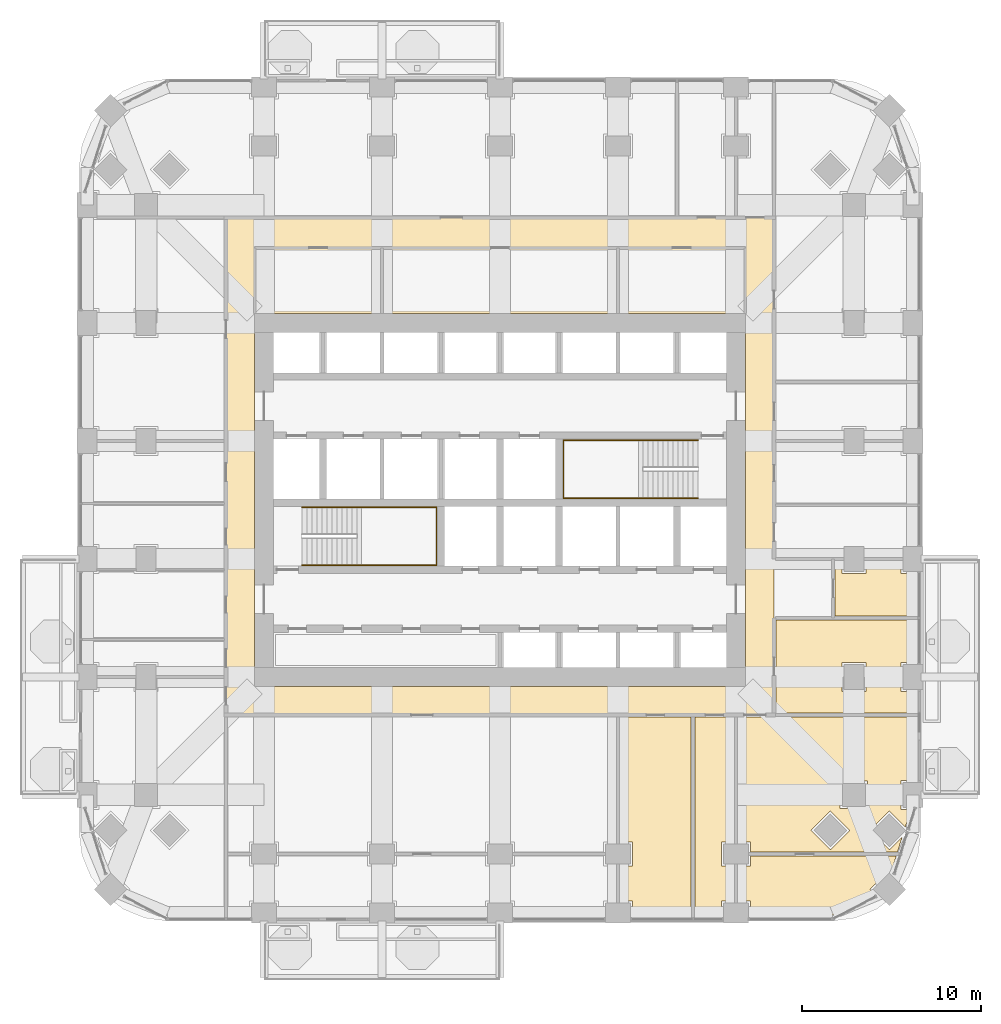
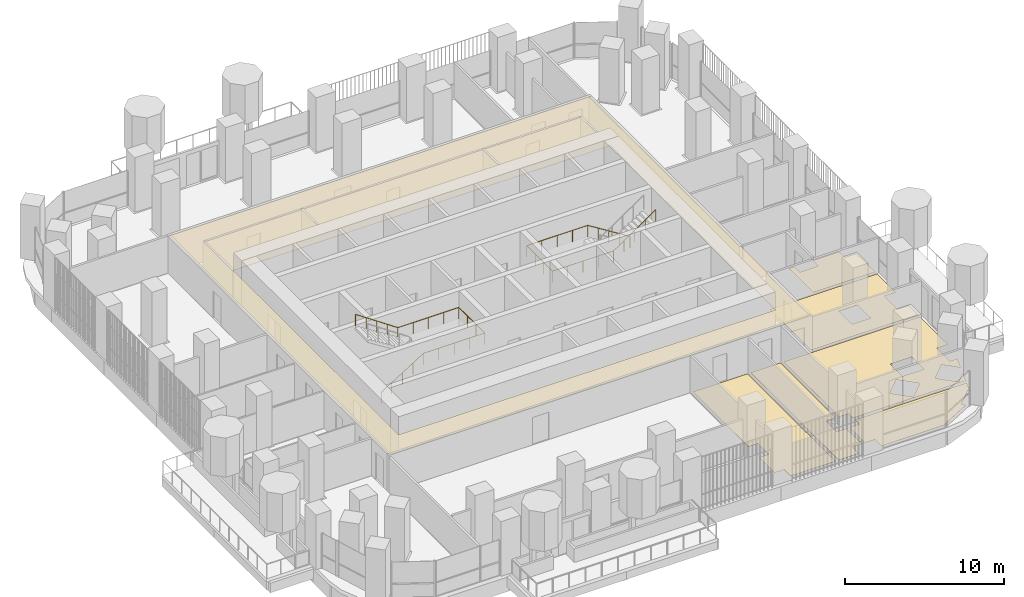
# One storey, part 18 of 21: 7 coverings, 2 railings.
"""IFC4 building model written with IfcOpenShell, lengths in metres."""

from ifc_helpers import new_model, si_unit, direction, frame, origin, place, context, subcontext, project, spatial, polyline, outline, extrude, material, layer, layer_set, type_object, element, save


model = new_model("IFC4")

# Units and contexts
model_context = context("Model", 3, precision=1e-05, world=origin(), true_north=direction((0.0, 1.0)))
body_context = subcontext(model_context, "Body", "Model", "MODEL_VIEW")
ifc_project = project(units=[si_unit("LENGTHUNIT", "METRE"), si_unit("AREAUNIT", "SQUARE_METRE"), si_unit("VOLUMEUNIT", "CUBIC_METRE"), si_unit("PLANEANGLEUNIT", "RADIAN"), si_unit("MASSUNIT", "GRAM", prefix="KILO")], contexts=[model_context])

# Site, building, storey
site_placement = place(None, origin())
site = spatial("IfcSite", under=ifc_project, at=site_placement, CompositionType="ELEMENT")
building_placement = place(site_placement, origin())
building = spatial("IfcBuilding", under=site, at=building_placement, Name="Cobogo Forest Laboratory Tower", CompositionType="ELEMENT")
storey_placement = place(building_placement, frame((0.0, 0.0, 124.199951171875)))
storey = spatial("IfcBuildingStorey", under=building, at=storey_placement, Name="L28", CompositionType="ELEMENT", Elevation=124.199951171875)

# Coverings
ifc_material_1 = material(Name="Mineral fibre ceiling tile", Category="ceiling")
ifc_layer_1 = layer(ifc_material_1, 0.02001953125)
ifc_layer_set_1 = layer_set([ifc_layer_1], Name="CL1 suspended ceiling")
covering_type_1 = type_object("IfcCoveringType", Name="CL1 suspended ceiling", PredefinedType="CEILING", material=ifc_layer_set_1)
covering_1_placement = place(storey_placement, frame((0.0, 0.0, 2.800048828125)))
element("IfcCovering", 1, at=covering_1_placement, inside=storey, type_object=covering_type_1, Name="Corridor ceiling L28", PredefinedType="CEILING", context=body_context, shape_type="SweptSolid", body=[
    extrude(outline(polyline([(11.074951171875, 11.074951171875), (11.074951171875, 38.89990234375), (41.72509765625, 38.89990234375), (41.72509765625, 11.074951171875), (11.074951171875, 11.074951171875)]), holes=[polyline([(40.125, 33.52490234375), (12.675048828125, 33.52490234375), (12.675048828125, 12.675048828125), (40.125, 12.675048828125), (40.125, 33.52490234375)])]), origin(), (0.0, 0.0, 1.0), 0.02001953125),
])
ifc_material_2 = material(Name="Carpet tile on raised access floor", Category="flooring")
ifc_layer_2 = layer(ifc_material_2, 0.008056640625)
ifc_layer_set_2 = layer_set([ifc_layer_2], Name="CT1 carpet tile floor 8")
covering_type_2 = type_object("IfcCoveringType", Name="CT1 carpet tile floor 8", PredefinedType="FLOORING", material=ifc_layer_set_2)
covering_2_placement = place(storey_placement, origin())
element("IfcCovering", 2, at=covering_2_placement, inside=storey, type_object=covering_type_2, Name="Carpet floor L28-06", PredefinedType="FLOORING", context=body_context, shape_type="SweptSolid", body=[
    extrude(outline(polyline([(37.080078125, 10.955078125), (37.080078125, -0.14990234375), (33.820068359375, -0.14990234375), (33.820068359375, 0.669921875), (33.1201171875, 0.669921875), (33.1201171875, 2.6298828125), (33.820068359375, 2.6298828125), (33.820068359375, 3.969970703125), (33.1201171875, 3.969970703125), (33.1201171875, 10.955078125), (37.080078125, 10.955078125)])), origin(), (0.0, 0.0, 1.0), 0.008056640625),
])
covering_3_placement = place(storey_placement, origin())
element("IfcCovering", 3, at=covering_3_placement, inside=storey, type_object=covering_type_2, Name="Carpet floor L28-09", PredefinedType="FLOORING", context=body_context, shape_type="SweptSolid", body=[
    extrude(outline(polyline([(48.560302734375, 3.179931640625), (48.283935546875, 2.304931640625), (48.181884765625, 2.406982421875), (47.093017578125, 1.318115234375), (47.3193359375, 1.091552734375), (44.95068359375, -0.14990234375), (40.419921875, -0.14990234375), (40.419921875, 0.669921875), (39.719970703125, 0.669921875), (39.719970703125, 2.6298828125), (40.419921875, 2.6298828125), (40.419921875, 3.179931640625), (48.560302734375, 3.179931640625)])), origin(), (0.0, 0.0, 1.0), 0.008056640625),
])
covering_4_placement = place(storey_placement, origin())
element("IfcCovering", 4, at=covering_4_placement, inside=storey, type_object=covering_type_2, Name="Carpet floor L28-10", PredefinedType="FLOORING", context=body_context, shape_type="SweptSolid", body=[
    extrude(outline(polyline([(41.844970703125, 16.3798828125), (49.64990234375, 16.3798828125), (49.64990234375, 14.02001953125), (48.830078125, 14.02001953125), (48.830078125, 12.3798828125), (49.64990234375, 12.3798828125), (49.64990234375, 11.195068359375), (41.844970703125, 11.195068359375), (41.844970703125, 16.3798828125)]), holes=[polyline([(45.530029296875, 12.3798828125), (46.8701171875, 12.3798828125), (46.8701171875, 14.02001953125), (45.530029296875, 14.02001953125), (45.530029296875, 12.3798828125)])]), origin(), (0.0, 0.0, 1.0), 0.008056640625),
])
covering_5_placement = place(storey_placement, origin())
element("IfcCovering", 5, at=covering_5_placement, inside=storey, type_object=covering_type_2, Name="Carpet floor L28-11", PredefinedType="FLOORING", context=body_context, shape_type="SweptSolid", body=[
    extrude(outline(polyline([(45.14501953125, 19.679931640625), (45.530029296875, 19.679931640625), (45.530029296875, 18.97998046875), (46.8701171875, 18.97998046875), (46.8701171875, 19.679931640625), (48.830078125, 19.679931640625), (48.830078125, 18.97998046875), (49.64990234375, 18.97998046875), (49.64990234375, 16.6201171875), (45.14501953125, 16.6201171875), (45.14501953125, 19.679931640625)])), origin(), (0.0, 0.0, 1.0), 0.008056640625),
])

# Railings
ifc_material_3 = material(Name="Stainless steel handrail", Category="steel")
railing_type = type_object("IfcRailingType", Name="HR handrail 900", PredefinedType="HANDRAIL", material=ifc_material_3)
railing_1_placement = place(storey_placement, frame((15.324951171875, 19.449951171875, 0.175048828125)))
element("IfcRailing", 6, at=railing_1_placement, inside=storey, type_object=railing_type, Name="Stair handrail ST1 L28", PredefinedType="HANDRAIL", context=body_context, shape_type="SweptSolid", body=[
    extrude(outline(polyline([(0.022216796875, 0.00927734375), (0.00927734375, 0.022216796875), (-0.00927734375, 0.022216796875), (-0.022216796875, 0.00927734375), (-0.022216796875, -0.00927734375), (-0.00927734375, -0.022216796875), (0.00927734375, -0.022216796875), (0.022216796875, -0.00927734375), (0.022216796875, 0.00927734375)])), frame((0.0, 0.0, 0.877685546875), z_axis=(0.847998304005, 0.0, 0.529998940003), x_axis=(0.0, 1.0, 0.0)), (0.0, 0.0, 1.0), 3.632080078125),
    extrude(outline(polyline([(0.022216796875, 0.00927734375), (0.00927734375, 0.022216796875), (-0.00927734375, 0.022216796875), (-0.022216796875, 0.00927734375), (-0.022216796875, -0.00927734375), (-0.00927734375, -0.022216796875), (0.00927734375, -0.022216796875), (0.022216796875, -0.00927734375), (0.022216796875, 0.00927734375)])), frame((3.080078125, 0.0, 2.802734375), z_axis=(1.0, 0.0, 0.0), x_axis=(0.0, 1.0, 0.0)), (0.0, 0.0, 1.0), 4.445068359375),
    extrude(outline(polyline([(0.022216796875, 0.00927734375), (0.00927734375, 0.022216796875), (-0.00927734375, 0.022216796875), (-0.022216796875, 0.00927734375), (-0.022216796875, -0.00927734375), (-0.00927734375, -0.022216796875), (0.00927734375, -0.022216796875), (0.022216796875, -0.00927734375), (0.022216796875, 0.00927734375)])), frame((7.525146484375, 0.0, 2.802734375), z_axis=(0.0, 1.0, 0.0), x_axis=(-1.0, 0.0, 0.0)), (0.0, 0.0, 1.0), 3.25),
    extrude(outline(polyline([(0.022216796875, 0.00927734375), (0.00927734375, 0.022216796875), (-0.00927734375, 0.022216796875), (-0.022216796875, 0.00927734375), (-0.022216796875, -0.00927734375), (-0.00927734375, -0.022216796875), (0.00927734375, -0.022216796875), (0.022216796875, -0.00927734375), (0.022216796875, 0.00927734375)])), frame((7.525146484375, 3.25, 2.802734375), z_axis=(-1.0, 0.0, 0.0), x_axis=(0.0, -1.0, 0.0)), (0.0, 0.0, 1.0), 4.445068359375),
    extrude(outline(polyline([(0.022216796875, 0.00927734375), (0.00927734375, 0.022216796875), (-0.00927734375, 0.022216796875), (-0.022216796875, 0.00927734375), (-0.022216796875, -0.00927734375), (-0.00927734375, -0.022216796875), (0.00927734375, -0.022216796875), (0.022216796875, -0.00927734375), (0.022216796875, 0.00927734375)])), frame((3.080078125, 3.25, 2.802734375), z_axis=(-0.826252282691, 0.0, 0.563300244406), x_axis=(0.0, -1.0, 0.0)), (0.0, 0.0, 1.0), 3.727783203125),
    extrude(outline(polyline([(0.019287109375, 0.008056640625), (0.008056640625, 0.019287109375), (-0.008056640625, 0.019287109375), (-0.019287109375, 0.008056640625), (-0.019287109375, -0.008056640625), (-0.008056640625, -0.019287109375), (0.008056640625, -0.019287109375), (0.019287109375, -0.008056640625), (0.019287109375, 0.008056640625)])), origin(), (0.0, 0.0, 1.0), 0.877685546875),
    extrude(outline(polyline([(0.019287109375, 0.008056640625), (0.008056640625, 0.019287109375), (-0.008056640625, 0.019287109375), (-0.019287109375, 0.008056640625), (-0.019287109375, -0.008056640625), (-0.008056640625, -0.019287109375), (0.008056640625, -0.019287109375), (0.019287109375, -0.008056640625), (0.019287109375, 0.008056640625)])), frame((0.77001953125, 0.0, 0.481201171875)), (0.0, 0.0, 1.0), 0.877685546875),
    extrude(outline(polyline([(0.019287109375, 0.008056640625), (0.008056640625, 0.019287109375), (-0.008056640625, 0.019287109375), (-0.019287109375, 0.008056640625), (-0.019287109375, -0.008056640625), (-0.008056640625, -0.019287109375), (0.008056640625, -0.019287109375), (0.019287109375, -0.008056640625), (0.019287109375, 0.008056640625)])), frame((1.5400390625, 0.0, 0.96240234375)), (0.0, 0.0, 1.0), 0.877685546875),
    extrude(outline(polyline([(0.019287109375, 0.008056640625), (0.008056640625, 0.019287109375), (-0.008056640625, 0.019287109375), (-0.019287109375, 0.008056640625), (-0.019287109375, -0.008056640625), (-0.008056640625, -0.019287109375), (0.008056640625, -0.019287109375), (0.019287109375, -0.008056640625), (0.019287109375, 0.008056640625)])), frame((2.31005859375, 0.0, 1.44384765625)), (0.0, 0.0, 1.0), 0.877685546875),
    extrude(outline(polyline([(0.019287109375, 0.008056640625), (0.008056640625, 0.019287109375), (-0.008056640625, 0.019287109375), (-0.019287109375, 0.008056640625), (-0.019287109375, -0.008056640625), (-0.008056640625, -0.019287109375), (0.008056640625, -0.019287109375), (0.019287109375, -0.008056640625), (0.019287109375, 0.008056640625)])), frame((3.080078125, 0.0, 1.925048828125)), (0.0, 0.0, 1.0), 0.877685546875),
    extrude(outline(polyline([(0.019287109375, 0.008056640625), (0.008056640625, 0.019287109375), (-0.008056640625, 0.019287109375), (-0.019287109375, 0.008056640625), (-0.019287109375, -0.008056640625), (-0.008056640625, -0.019287109375), (0.008056640625, -0.019287109375), (0.019287109375, -0.008056640625), (0.019287109375, 0.008056640625)])), frame((4.19140625, 0.0, 1.925048828125)), (0.0, 0.0, 1.0), 0.877685546875),
    extrude(outline(polyline([(0.019287109375, 0.008056640625), (0.008056640625, 0.019287109375), (-0.008056640625, 0.019287109375), (-0.019287109375, 0.008056640625), (-0.019287109375, -0.008056640625), (-0.008056640625, -0.019287109375), (0.008056640625, -0.019287109375), (0.019287109375, -0.008056640625), (0.019287109375, 0.008056640625)])), frame((5.302734375, 0.0, 1.925048828125)), (0.0, 0.0, 1.0), 0.877685546875),
    extrude(outline(polyline([(0.019287109375, 0.008056640625), (0.008056640625, 0.019287109375), (-0.008056640625, 0.019287109375), (-0.019287109375, 0.008056640625), (-0.019287109375, -0.008056640625), (-0.008056640625, -0.019287109375), (0.008056640625, -0.019287109375), (0.019287109375, -0.008056640625), (0.019287109375, 0.008056640625)])), frame((6.413818359375, 0.0, 1.925048828125)), (0.0, 0.0, 1.0), 0.877685546875),
    extrude(outline(polyline([(0.019287109375, 0.008056640625), (0.008056640625, 0.019287109375), (-0.008056640625, 0.019287109375), (-0.019287109375, 0.008056640625), (-0.019287109375, -0.008056640625), (-0.008056640625, -0.019287109375), (0.008056640625, -0.019287109375), (0.019287109375, -0.008056640625), (0.019287109375, 0.008056640625)])), frame((7.525146484375, 0.0, 1.925048828125)), (0.0, 0.0, 1.0), 0.877685546875),
    extrude(outline(polyline([(0.019287109375, 0.008056640625), (0.008056640625, 0.019287109375), (-0.008056640625, 0.019287109375), (-0.019287109375, 0.008056640625), (-0.019287109375, -0.008056640625), (-0.008056640625, -0.019287109375), (0.008056640625, -0.019287109375), (0.019287109375, -0.008056640625), (0.019287109375, 0.008056640625)])), frame((7.525146484375, 1.083251953125, 1.925048828125)), (0.0, 0.0, 1.0), 0.877685546875),
    extrude(outline(polyline([(0.019287109375, 0.008056640625), (0.008056640625, 0.019287109375), (-0.008056640625, 0.019287109375), (-0.019287109375, 0.008056640625), (-0.019287109375, -0.008056640625), (-0.008056640625, -0.019287109375), (0.008056640625, -0.019287109375), (0.019287109375, -0.008056640625), (0.019287109375, 0.008056640625)])), frame((7.525146484375, 2.166748046875, 1.925048828125)), (0.0, 0.0, 1.0), 0.877685546875),
    extrude(outline(polyline([(0.019287109375, 0.008056640625), (0.008056640625, 0.019287109375), (-0.008056640625, 0.019287109375), (-0.019287109375, 0.008056640625), (-0.019287109375, -0.008056640625), (-0.008056640625, -0.019287109375), (0.008056640625, -0.019287109375), (0.019287109375, -0.008056640625), (0.019287109375, 0.008056640625)])), frame((7.525146484375, 3.25, 1.925048828125)), (0.0, 0.0, 1.0), 0.877685546875),
    extrude(outline(polyline([(0.019287109375, 0.008056640625), (0.008056640625, 0.019287109375), (-0.008056640625, 0.019287109375), (-0.019287109375, 0.008056640625), (-0.019287109375, -0.008056640625), (-0.008056640625, -0.019287109375), (0.008056640625, -0.019287109375), (0.019287109375, -0.008056640625), (0.019287109375, 0.008056640625)])), frame((6.413818359375, 3.25, 1.925048828125)), (0.0, 0.0, 1.0), 0.877685546875),
    extrude(outline(polyline([(0.019287109375, 0.008056640625), (0.008056640625, 0.019287109375), (-0.008056640625, 0.019287109375), (-0.019287109375, 0.008056640625), (-0.019287109375, -0.008056640625), (-0.008056640625, -0.019287109375), (0.008056640625, -0.019287109375), (0.019287109375, -0.008056640625), (0.019287109375, 0.008056640625)])), frame((5.302734375, 3.25, 1.925048828125)), (0.0, 0.0, 1.0), 0.877685546875),
    extrude(outline(polyline([(0.019287109375, 0.008056640625), (0.008056640625, 0.019287109375), (-0.008056640625, 0.019287109375), (-0.019287109375, 0.008056640625), (-0.019287109375, -0.008056640625), (-0.008056640625, -0.019287109375), (0.008056640625, -0.019287109375), (0.019287109375, -0.008056640625), (0.019287109375, 0.008056640625)])), frame((4.19140625, 3.25, 1.925048828125)), (0.0, 0.0, 1.0), 0.877685546875),
    extrude(outline(polyline([(0.019287109375, 0.008056640625), (0.008056640625, 0.019287109375), (-0.008056640625, 0.019287109375), (-0.019287109375, 0.008056640625), (-0.019287109375, -0.008056640625), (-0.008056640625, -0.019287109375), (0.008056640625, -0.019287109375), (0.019287109375, -0.008056640625), (0.019287109375, 0.008056640625)])), frame((3.080078125, 3.25, 1.925048828125)), (0.0, 0.0, 1.0), 0.877685546875),
    extrude(outline(polyline([(0.019287109375, 0.008056640625), (0.008056640625, 0.019287109375), (-0.008056640625, 0.019287109375), (-0.019287109375, 0.008056640625), (-0.019287109375, -0.008056640625), (-0.008056640625, -0.019287109375), (0.008056640625, -0.019287109375), (0.019287109375, -0.008056640625), (0.019287109375, 0.008056640625)])), frame((2.31005859375, 3.25, 2.449951171875)), (0.0, 0.0, 1.0), 0.877685546875),
    extrude(outline(polyline([(0.019287109375, 0.008056640625), (0.008056640625, 0.019287109375), (-0.008056640625, 0.019287109375), (-0.019287109375, 0.008056640625), (-0.019287109375, -0.008056640625), (-0.008056640625, -0.019287109375), (0.008056640625, -0.019287109375), (0.019287109375, -0.008056640625), (0.019287109375, 0.008056640625)])), frame((1.5400390625, 3.25, 2.97509765625)), (0.0, 0.0, 1.0), 0.877685546875),
    extrude(outline(polyline([(0.019287109375, 0.008056640625), (0.008056640625, 0.019287109375), (-0.008056640625, 0.019287109375), (-0.019287109375, 0.008056640625), (-0.019287109375, -0.008056640625), (-0.008056640625, -0.019287109375), (0.008056640625, -0.019287109375), (0.019287109375, -0.008056640625), (0.019287109375, 0.008056640625)])), frame((0.77001953125, 3.25, 3.5)), (0.0, 0.0, 1.0), 0.877685546875),
    extrude(outline(polyline([(0.019287109375, 0.008056640625), (0.008056640625, 0.019287109375), (-0.008056640625, 0.019287109375), (-0.019287109375, 0.008056640625), (-0.019287109375, -0.008056640625), (-0.008056640625, -0.019287109375), (0.008056640625, -0.019287109375), (0.019287109375, -0.008056640625), (0.019287109375, 0.008056640625)])), frame((0.0, 3.25, 4.02490234375)), (0.0, 0.0, 1.0), 0.877685546875),
])
railing_2_placement = place(storey_placement, frame((37.47509765625, 26.449951171875, 0.175048828125)))
element("IfcRailing", 7, at=railing_2_placement, inside=storey, type_object=railing_type, Name="Stair handrail ST2 L28", PredefinedType="HANDRAIL", context=body_context, shape_type="SweptSolid", body=[
    extrude(outline(polyline([(0.022216796875, 0.00927734375), (0.00927734375, 0.022216796875), (-0.00927734375, 0.022216796875), (-0.022216796875, 0.00927734375), (-0.022216796875, -0.00927734375), (-0.00927734375, -0.022216796875), (0.00927734375, -0.022216796875), (0.022216796875, -0.00927734375), (0.022216796875, 0.00927734375)])), frame((0.0, 0.0, 0.877685546875), z_axis=(-0.847998304005, 0.0, 0.529998940003), x_axis=(0.0, -1.0, 0.0)), (0.0, 0.0, 1.0), 3.632080078125),
    extrude(outline(polyline([(0.022216796875, 0.00927734375), (0.00927734375, 0.022216796875), (-0.00927734375, 0.022216796875), (-0.022216796875, 0.00927734375), (-0.022216796875, -0.00927734375), (-0.00927734375, -0.022216796875), (0.00927734375, -0.022216796875), (0.022216796875, -0.00927734375), (0.022216796875, 0.00927734375)])), frame((-3.080078125, 0.0, 2.802734375), z_axis=(-1.0, 0.0, 0.0), x_axis=(0.0, -1.0, 0.0)), (0.0, 0.0, 1.0), 4.445068359375),
    extrude(outline(polyline([(0.022216796875, 0.00927734375), (0.00927734375, 0.022216796875), (-0.00927734375, 0.022216796875), (-0.022216796875, 0.00927734375), (-0.022216796875, -0.00927734375), (-0.00927734375, -0.022216796875), (0.00927734375, -0.022216796875), (0.022216796875, -0.00927734375), (0.022216796875, 0.00927734375)])), frame((-7.525146484375, 0.0, 2.802734375), z_axis=(0.0, -1.0, 0.0), x_axis=(1.0, 0.0, 0.0)), (0.0, 0.0, 1.0), 3.25),
    extrude(outline(polyline([(0.022216796875, 0.00927734375), (0.00927734375, 0.022216796875), (-0.00927734375, 0.022216796875), (-0.022216796875, 0.00927734375), (-0.022216796875, -0.00927734375), (-0.00927734375, -0.022216796875), (0.00927734375, -0.022216796875), (0.022216796875, -0.00927734375), (0.022216796875, 0.00927734375)])), frame((-7.525146484375, -3.25, 2.802734375), z_axis=(1.0, 0.0, 0.0), x_axis=(0.0, 1.0, 0.0)), (0.0, 0.0, 1.0), 4.445068359375),
    extrude(outline(polyline([(0.022216796875, 0.00927734375), (0.00927734375, 0.022216796875), (-0.00927734375, 0.022216796875), (-0.022216796875, 0.00927734375), (-0.022216796875, -0.00927734375), (-0.00927734375, -0.022216796875), (0.00927734375, -0.022216796875), (0.022216796875, -0.00927734375), (0.022216796875, 0.00927734375)])), frame((-3.080078125, -3.25, 2.802734375), z_axis=(0.826252282691, 0.0, 0.563300244406), x_axis=(0.0, 1.0, 0.0)), (0.0, 0.0, 1.0), 3.727783203125),
    extrude(outline(polyline([(0.019287109375, 0.008056640625), (0.008056640625, 0.019287109375), (-0.008056640625, 0.019287109375), (-0.019287109375, 0.008056640625), (-0.019287109375, -0.008056640625), (-0.008056640625, -0.019287109375), (0.008056640625, -0.019287109375), (0.019287109375, -0.008056640625), (0.019287109375, 0.008056640625)])), origin(), (0.0, 0.0, 1.0), 0.877685546875),
    extrude(outline(polyline([(0.019287109375, 0.008056640625), (0.008056640625, 0.019287109375), (-0.008056640625, 0.019287109375), (-0.019287109375, 0.008056640625), (-0.019287109375, -0.008056640625), (-0.008056640625, -0.019287109375), (0.008056640625, -0.019287109375), (0.019287109375, -0.008056640625), (0.019287109375, 0.008056640625)])), frame((-0.77001953125, 0.0, 0.481201171875)), (0.0, 0.0, 1.0), 0.877685546875),
    extrude(outline(polyline([(0.019287109375, 0.008056640625), (0.008056640625, 0.019287109375), (-0.008056640625, 0.019287109375), (-0.019287109375, 0.008056640625), (-0.019287109375, -0.008056640625), (-0.008056640625, -0.019287109375), (0.008056640625, -0.019287109375), (0.019287109375, -0.008056640625), (0.019287109375, 0.008056640625)])), frame((-1.5400390625, 0.0, 0.96240234375)), (0.0, 0.0, 1.0), 0.877685546875),
    extrude(outline(polyline([(0.019287109375, 0.008056640625), (0.008056640625, 0.019287109375), (-0.008056640625, 0.019287109375), (-0.019287109375, 0.008056640625), (-0.019287109375, -0.008056640625), (-0.008056640625, -0.019287109375), (0.008056640625, -0.019287109375), (0.019287109375, -0.008056640625), (0.019287109375, 0.008056640625)])), frame((-2.31005859375, 0.0, 1.44384765625)), (0.0, 0.0, 1.0), 0.877685546875),
    extrude(outline(polyline([(0.019287109375, 0.008056640625), (0.008056640625, 0.019287109375), (-0.008056640625, 0.019287109375), (-0.019287109375, 0.008056640625), (-0.019287109375, -0.008056640625), (-0.008056640625, -0.019287109375), (0.008056640625, -0.019287109375), (0.019287109375, -0.008056640625), (0.019287109375, 0.008056640625)])), frame((-3.080078125, 0.0, 1.925048828125)), (0.0, 0.0, 1.0), 0.877685546875),
    extrude(outline(polyline([(0.019287109375, 0.008056640625), (0.008056640625, 0.019287109375), (-0.008056640625, 0.019287109375), (-0.019287109375, 0.008056640625), (-0.019287109375, -0.008056640625), (-0.008056640625, -0.019287109375), (0.008056640625, -0.019287109375), (0.019287109375, -0.008056640625), (0.019287109375, 0.008056640625)])), frame((-4.19140625, 0.0, 1.925048828125)), (0.0, 0.0, 1.0), 0.877685546875),
    extrude(outline(polyline([(0.019287109375, 0.008056640625), (0.008056640625, 0.019287109375), (-0.008056640625, 0.019287109375), (-0.019287109375, 0.008056640625), (-0.019287109375, -0.008056640625), (-0.008056640625, -0.019287109375), (0.008056640625, -0.019287109375), (0.019287109375, -0.008056640625), (0.019287109375, 0.008056640625)])), frame((-5.302734375, 0.0, 1.925048828125)), (0.0, 0.0, 1.0), 0.877685546875),
    extrude(outline(polyline([(0.019287109375, 0.008056640625), (0.008056640625, 0.019287109375), (-0.008056640625, 0.019287109375), (-0.019287109375, 0.008056640625), (-0.019287109375, -0.008056640625), (-0.008056640625, -0.019287109375), (0.008056640625, -0.019287109375), (0.019287109375, -0.008056640625), (0.019287109375, 0.008056640625)])), frame((-6.413818359375, 0.0, 1.925048828125)), (0.0, 0.0, 1.0), 0.877685546875),
    extrude(outline(polyline([(0.019287109375, 0.008056640625), (0.008056640625, 0.019287109375), (-0.008056640625, 0.019287109375), (-0.019287109375, 0.008056640625), (-0.019287109375, -0.008056640625), (-0.008056640625, -0.019287109375), (0.008056640625, -0.019287109375), (0.019287109375, -0.008056640625), (0.019287109375, 0.008056640625)])), frame((-7.525146484375, 0.0, 1.925048828125)), (0.0, 0.0, 1.0), 0.877685546875),
    extrude(outline(polyline([(0.019287109375, 0.008056640625), (0.008056640625, 0.019287109375), (-0.008056640625, 0.019287109375), (-0.019287109375, 0.008056640625), (-0.019287109375, -0.008056640625), (-0.008056640625, -0.019287109375), (0.008056640625, -0.019287109375), (0.019287109375, -0.008056640625), (0.019287109375, 0.008056640625)])), frame((-7.525146484375, -1.083251953125, 1.925048828125)), (0.0, 0.0, 1.0), 0.877685546875),
    extrude(outline(polyline([(0.019287109375, 0.008056640625), (0.008056640625, 0.019287109375), (-0.008056640625, 0.019287109375), (-0.019287109375, 0.008056640625), (-0.019287109375, -0.008056640625), (-0.008056640625, -0.019287109375), (0.008056640625, -0.019287109375), (0.019287109375, -0.008056640625), (0.019287109375, 0.008056640625)])), frame((-7.525146484375, -2.166748046875, 1.925048828125)), (0.0, 0.0, 1.0), 0.877685546875),
    extrude(outline(polyline([(0.019287109375, 0.008056640625), (0.008056640625, 0.019287109375), (-0.008056640625, 0.019287109375), (-0.019287109375, 0.008056640625), (-0.019287109375, -0.008056640625), (-0.008056640625, -0.019287109375), (0.008056640625, -0.019287109375), (0.019287109375, -0.008056640625), (0.019287109375, 0.008056640625)])), frame((-7.525146484375, -3.25, 1.925048828125)), (0.0, 0.0, 1.0), 0.877685546875),
    extrude(outline(polyline([(0.019287109375, 0.008056640625), (0.008056640625, 0.019287109375), (-0.008056640625, 0.019287109375), (-0.019287109375, 0.008056640625), (-0.019287109375, -0.008056640625), (-0.008056640625, -0.019287109375), (0.008056640625, -0.019287109375), (0.019287109375, -0.008056640625), (0.019287109375, 0.008056640625)])), frame((-6.413818359375, -3.25, 1.925048828125)), (0.0, 0.0, 1.0), 0.877685546875),
    extrude(outline(polyline([(0.019287109375, 0.008056640625), (0.008056640625, 0.019287109375), (-0.008056640625, 0.019287109375), (-0.019287109375, 0.008056640625), (-0.019287109375, -0.008056640625), (-0.008056640625, -0.019287109375), (0.008056640625, -0.019287109375), (0.019287109375, -0.008056640625), (0.019287109375, 0.008056640625)])), frame((-5.302734375, -3.25, 1.925048828125)), (0.0, 0.0, 1.0), 0.877685546875),
    extrude(outline(polyline([(0.019287109375, 0.008056640625), (0.008056640625, 0.019287109375), (-0.008056640625, 0.019287109375), (-0.019287109375, 0.008056640625), (-0.019287109375, -0.008056640625), (-0.008056640625, -0.019287109375), (0.008056640625, -0.019287109375), (0.019287109375, -0.008056640625), (0.019287109375, 0.008056640625)])), frame((-4.19140625, -3.25, 1.925048828125)), (0.0, 0.0, 1.0), 0.877685546875),
    extrude(outline(polyline([(0.019287109375, 0.008056640625), (0.008056640625, 0.019287109375), (-0.008056640625, 0.019287109375), (-0.019287109375, 0.008056640625), (-0.019287109375, -0.008056640625), (-0.008056640625, -0.019287109375), (0.008056640625, -0.019287109375), (0.019287109375, -0.008056640625), (0.019287109375, 0.008056640625)])), frame((-3.080078125, -3.25, 1.925048828125)), (0.0, 0.0, 1.0), 0.877685546875),
    extrude(outline(polyline([(0.019287109375, 0.008056640625), (0.008056640625, 0.019287109375), (-0.008056640625, 0.019287109375), (-0.019287109375, 0.008056640625), (-0.019287109375, -0.008056640625), (-0.008056640625, -0.019287109375), (0.008056640625, -0.019287109375), (0.019287109375, -0.008056640625), (0.019287109375, 0.008056640625)])), frame((-2.31005859375, -3.25, 2.449951171875)), (0.0, 0.0, 1.0), 0.877685546875),
    extrude(outline(polyline([(0.019287109375, 0.008056640625), (0.008056640625, 0.019287109375), (-0.008056640625, 0.019287109375), (-0.019287109375, 0.008056640625), (-0.019287109375, -0.008056640625), (-0.008056640625, -0.019287109375), (0.008056640625, -0.019287109375), (0.019287109375, -0.008056640625), (0.019287109375, 0.008056640625)])), frame((-1.5400390625, -3.25, 2.97509765625)), (0.0, 0.0, 1.0), 0.877685546875),
    extrude(outline(polyline([(0.019287109375, 0.008056640625), (0.008056640625, 0.019287109375), (-0.008056640625, 0.019287109375), (-0.019287109375, 0.008056640625), (-0.019287109375, -0.008056640625), (-0.008056640625, -0.019287109375), (0.008056640625, -0.019287109375), (0.019287109375, -0.008056640625), (0.019287109375, 0.008056640625)])), frame((-0.77001953125, -3.25, 3.5)), (0.0, 0.0, 1.0), 0.877685546875),
    extrude(outline(polyline([(0.019287109375, 0.008056640625), (0.008056640625, 0.019287109375), (-0.008056640625, 0.019287109375), (-0.019287109375, 0.008056640625), (-0.019287109375, -0.008056640625), (-0.008056640625, -0.019287109375), (0.008056640625, -0.019287109375), (0.019287109375, -0.008056640625), (0.019287109375, 0.008056640625)])), frame((0.0, -3.25, 4.02490234375)), (0.0, 0.0, 1.0), 0.877685546875),
])

# Coverings
ifc_material_4 = material(Name="Epoxy resin flooring", Category="flooring")
ifc_layer_3 = layer(ifc_material_4, 0.00390625)
ifc_layer_set_3 = layer_set([ifc_layer_3], Name="LF1 epoxy laboratory floor 4")
covering_type_3 = type_object("IfcCoveringType", Name="LF1 epoxy laboratory floor 4", PredefinedType="FLOORING", material=ifc_layer_set_3)
covering_6_placement = place(storey_placement, origin())
element("IfcCovering", 8, at=covering_6_placement, inside=storey, type_object=covering_type_3, Name="Epoxy laboratory floor L28-08", PredefinedType="FLOORING", context=body_context, shape_type="SweptSolid", body=[
    extrude(outline(polyline([(39.719970703125, 10.955078125), (49.64990234375, 10.955078125), (49.64990234375, 7.419921875), (48.830078125, 7.419921875), (48.830078125, 5.780029296875), (49.38134765625, 5.780029296875), (49.075927734375, 4.81298828125), (48.181884765625, 5.70703125), (47.093017578125, 4.617919921875), (48.181884765625, 3.529052734375), (48.89599609375, 4.2431640625), (48.635986328125, 3.419921875), (40.419921875, 3.419921875), (40.419921875, 3.969970703125), (39.719970703125, 3.969970703125), (39.719970703125, 10.955078125)]), holes=[polyline([(45.429931640625, 5.830078125), (46.969970703125, 5.830078125), (46.969970703125, 7.3701171875), (45.429931640625, 7.3701171875), (45.429931640625, 5.830078125)]), polyline([(43.79296875, 4.617919921875), (44.882080078125, 3.529052734375), (45.970947265625, 4.617919921875), (44.882080078125, 5.70703125), (43.79296875, 4.617919921875)])]), origin(), (0.0, 0.0, 1.0), 0.004150390625),
])
ifc_material_5 = material(Name="Ceramic floor tile", Category="flooring")
ifc_layer_4 = layer(ifc_material_5, 0.010009765625)
ifc_layer_set_4 = layer_set([ifc_layer_4], Name="TF1 ceramic tile floor 10")
covering_type_4 = type_object("IfcCoveringType", Name="TF1 ceramic tile floor 10", PredefinedType="FLOORING", material=ifc_layer_set_4)
covering_7_placement = place(storey_placement, origin())
element("IfcCovering", 9, at=covering_7_placement, inside=storey, type_object=covering_type_4, Name="Tile floor L28-07", PredefinedType="FLOORING", context=body_context, shape_type="SweptSolid", body=[
    extrude(outline(polyline([(39.47998046875, 10.955078125), (39.47998046875, 3.969970703125), (38.780029296875, 3.969970703125), (38.780029296875, 2.6298828125), (39.47998046875, 2.6298828125), (39.47998046875, 0.669921875), (38.780029296875, 0.669921875), (38.780029296875, -0.14990234375), (37.320068359375, -0.14990234375), (37.320068359375, 10.955078125), (39.47998046875, 10.955078125)])), origin(), (0.0, 0.0, 1.0), 0.010009765625),
])

save(model, "model.ifc")
